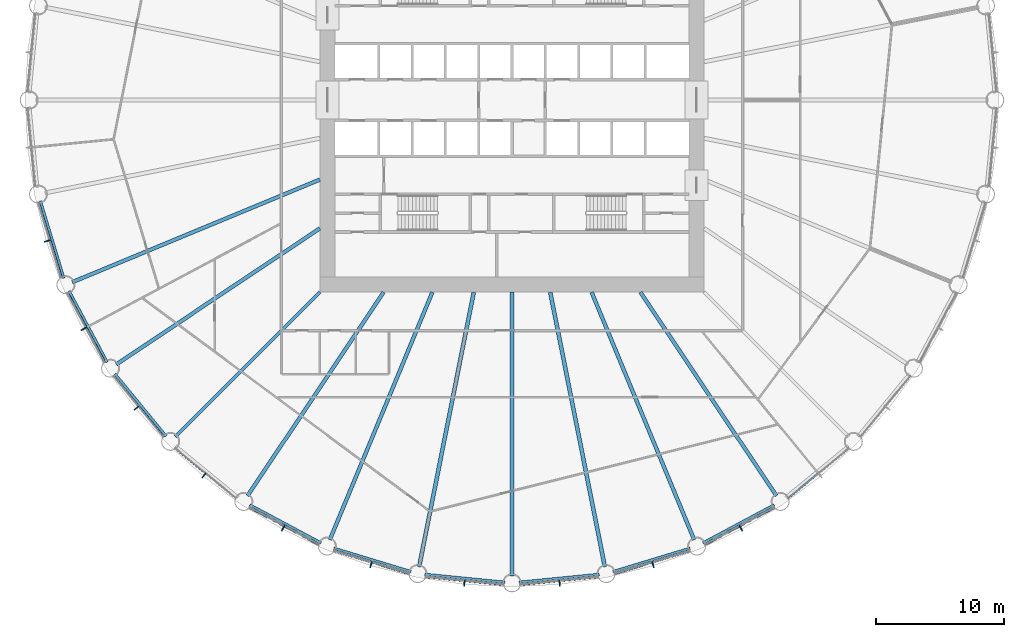
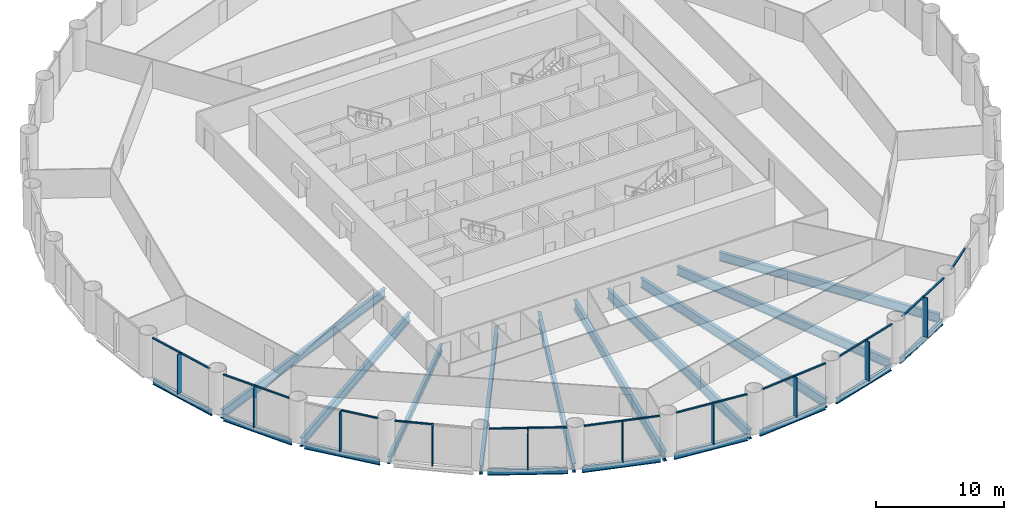
# One storey, part 2 of 15: 29 members, 19 beams, 11 elements without a shape of their own.
"""IFC4 building model written with IfcOpenShell, lengths in metres."""

from ifc_helpers import new_model, si_unit, direction, frame, origin, origin_2d, place, context, subcontext, project, spatial, rectangle, i_section, extrude, material, material_profile, profile_set, type_object, element, aggregate, save


model = new_model("IFC4")

# Units and contexts
model_context = context("Model", 3, precision=1e-05, world=origin(), true_north=direction((0.0, 1.0)))
body_context = subcontext(model_context, "Body", "Model", "MODEL_VIEW")
ifc_project = project(units=[si_unit("LENGTHUNIT", "METRE"), si_unit("AREAUNIT", "SQUARE_METRE"), si_unit("VOLUMEUNIT", "CUBIC_METRE"), si_unit("PLANEANGLEUNIT", "RADIAN"), si_unit("MASSUNIT", "GRAM", prefix="KILO")], contexts=[model_context])

# Site, building, storey
site_placement = place(None, origin())
site = spatial("IfcSite", under=ifc_project, at=site_placement, CompositionType="ELEMENT")
building_placement = place(site_placement, origin())
building = spatial("IfcBuilding", under=site, at=building_placement, Name="Corvane Civic Tower", CompositionType="ELEMENT")
storey_placement = place(building_placement, frame((0.0, 0.0, 41.0)))
storey = spatial("IfcBuildingStorey", under=building, at=storey_placement, Name="L08", CompositionType="ELEMENT", Elevation=41.0)

# Beams
ifc_material_1 = material(Name="Steel ASTM A992 Gr 50", Category="steel")
ifc_material_profile_1 = material_profile(ifc_material_1, i_section(OverallWidth=0.209228515625, OverallDepth=0.533447265625, WebThickness=0.01025390625, FlangeThickness=0.015625, at=origin_2d()), Name="W21X62")
ifc_profile_set_1 = profile_set([ifc_material_profile_1], Name="Steel ASTM A992 Gr 50")
beam_type_1 = type_object("IfcBeamType", Name="EDGE BEAM W21X62", PredefinedType="BEAM", material=ifc_profile_set_1)
for number, where, z_axis, x_axis, name in (
    (1, (20.4599609375, -31.605712890625, -0.566650390625), (-0.881916367906, -0.471405897311, 0.0), (0.471405897311, -0.881916367906, 0.0), "BM-L08-E14"),
    (2, (13.90087890625, -34.989990234375, -0.566650390625), (-0.956943740748, -0.290273452184, 0.0), (0.290273452184, -0.956943740748, 0.0), "BM-L08-E15"),
):
    element("IfcBeam", number, at=place(storey_placement, frame(where, z_axis=z_axis, x_axis=x_axis)), inside=storey, type_object=beam_type_1, Name=name, PredefinedType="BEAM", context=body_context, shape_type="SweptSolid", body=[
        extrude(i_section(OverallWidth=0.209228515625, OverallDepth=0.533447265625, WebThickness=0.01025390625, FlangeThickness=0.015625, at=origin_2d()), origin(), (0.0, 0.0, 1.0), 6.290283203125),
    ])
for number, where, z_axis, x_axis, name in (
    (3, (6.8076171875, -37.029541015625, -0.566650390625), (-0.995186682089, -0.097997284622, 0.0), (0.097997284622, -0.995186682089, 0.0), "BM-L08-E16"),
    (4, (-0.54736328125, -37.64599609375, -0.566650390625), (-0.995186682089, 0.097997284622, 0.0), (-0.097997284622, -0.995186682089, 0.0), "BM-L08-E17"),
):
    element("IfcBeam", number, at=place(storey_placement, frame(where, z_axis=z_axis, x_axis=x_axis)), inside=storey, type_object=beam_type_1, Name=name, PredefinedType="BEAM", context=body_context, shape_type="SweptSolid", body=[
        extrude(i_section(OverallWidth=0.209228515625, OverallDepth=0.533447265625, WebThickness=0.01025390625, FlangeThickness=0.015625, at=origin_2d()), origin(), (0.0, 0.0, 1.0), 6.29052734375),
    ])
for number, where, z_axis, x_axis, name in (
    (5, (-7.88134765625, -36.81591796875, -0.566650390625), (-0.956943740748, 0.290273452184, 0.0), (-0.290273452184, -0.956943740748, 0.0), "BM-L08-E18"),
    (6, (-14.912353515625, -34.571044921875, -0.566650390625), (-0.881916367906, 0.471405897311, 0.0), (-0.471405897311, -0.881916367906, 0.0), "BM-L08-E19"),
):
    element("IfcBeam", number, at=place(storey_placement, frame(where, z_axis=z_axis, x_axis=x_axis)), inside=storey, type_object=beam_type_1, Name=name, PredefinedType="BEAM", context=body_context, shape_type="SweptSolid", body=[
        extrude(i_section(OverallWidth=0.209228515625, OverallDepth=0.533447265625, WebThickness=0.01025390625, FlangeThickness=0.015625, at=origin_2d()), origin(), (0.0, 0.0, 1.0), 6.290283203125),
    ])
beam_1_placement = place(storey_placement, frame((-27.0068359375, -26.23291015625, -0.566650390625), z_axis=(-0.634386787141, 0.773015785286, 0.0), x_axis=(-0.773015785286, -0.634386787141, 0.0)))
element("IfcBeam", 7, at=beam_1_placement, inside=storey, type_object=beam_type_1, Name="BM-L08-E21", PredefinedType="BEAM", context=body_context, shape_type="SweptSolid", body=[
    extrude(i_section(OverallWidth=0.209228515625, OverallDepth=0.533447265625, WebThickness=0.01025390625, FlangeThickness=0.015625, at=origin_2d()), origin(), (0.0, 0.0, 1.0), 6.290771484375),
])
for number, where, z_axis, x_axis, name in (
    (8, (-31.605712890625, -20.4599609375, -0.566650390625), (-0.471405897311, 0.881916367906, 0.0), (-0.881916367906, -0.471405897311, 0.0), "BM-L08-E22"),
    (9, (-34.989990234375, -13.90087890625, -0.566650390625), (-0.290273452184, 0.956943740748, 0.0), (-0.956943740748, -0.290273452184, 0.0), "BM-L08-E23"),
):
    element("IfcBeam", number, at=place(storey_placement, frame(where, z_axis=z_axis, x_axis=x_axis)), inside=storey, type_object=beam_type_1, Name=name, PredefinedType="BEAM", context=body_context, shape_type="SweptSolid", body=[
        extrude(i_section(OverallWidth=0.209228515625, OverallDepth=0.533447265625, WebThickness=0.01025390625, FlangeThickness=0.015625, at=origin_2d()), origin(), (0.0, 0.0, 1.0), 6.290283203125),
    ])
ifc_material_2 = material(Name="Steel ASTM A992 Gr 50", Category="steel")
ifc_material_profile_2 = material_profile(ifc_material_2, i_section(OverallWidth=0.256591796875, OverallDepth=0.693359375, WebThickness=0.014404296875, FlangeThickness=0.023681640625, at=origin_2d()), Name="W27X114")
ifc_profile_set_2 = profile_set([ifc_material_profile_2], Name="Steel ASTM A992 Gr 50")
beam_type_2 = type_object("IfcBeamType", Name="FLOOR GIRDER W27X114", PredefinedType="BEAM", material=ifc_profile_set_2)
beam_2_placement = place(storey_placement, frame((-15.0, -15.0, -0.646728515625), z_axis=(-0.707106781187, -0.707106781187, 0.0), x_axis=(0.707106781187, -0.707106781187, 0.0)))
element("IfcBeam", 10, at=beam_2_placement, inside=storey, type_object=beam_type_2, Name="BM-L08-G21", PredefinedType="BEAM", context=body_context, shape_type="SweptSolid", body=[
    extrude(i_section(OverallWidth=0.256591796875, OverallDepth=0.693359375, WebThickness=0.014404296875, FlangeThickness=0.023681640625, at=origin_2d()), origin(), (0.0, 0.0, 1.0), 15.936767578125),
])
ifc_material_3 = material(Name="Steel ASTM A992 Gr 50", Category="steel")
ifc_material_profile_3 = material_profile(ifc_material_3, i_section(OverallWidth=0.2919921875, OverallDepth=0.8583984375, WebThickness=0.01708984375, FlangeThickness=0.031005859375, at=origin_2d()), Name="W33X169")
ifc_profile_set_3 = profile_set([ifc_material_profile_3], Name="Steel ASTM A992 Gr 50")
beam_type_3 = type_object("IfcBeamType", Name="FLOOR GIRDER W33X169", PredefinedType="BEAM", material=ifc_profile_set_3)
beam_3_placement = place(storey_placement, frame((10.022705078125, -15.0, -0.729248046875), z_axis=(0.555566681385, -0.831471985418, 0.0), x_axis=(0.831471985418, 0.555566681385, 0.0)))
element("IfcBeam", 11, at=beam_3_placement, inside=storey, type_object=beam_type_3, Name="BM-L08-G14", PredefinedType="BEAM", context=body_context, shape_type="SweptSolid", body=[
    extrude(i_section(OverallWidth=0.2919921875, OverallDepth=0.8583984375, WebThickness=0.01708984375, FlangeThickness=0.031005859375, at=origin_2d()), origin(), (0.0, 0.0, 1.0), 19.109619140625),
])
for number, where, z_axis, x_axis, name in (
    (12, (6.213134765625, -15.0, -0.729248046875), (0.382692360381, -0.923875834355, 0.0), (0.923875834355, 0.382692360381, 0.0), "BM-L08-G15"),
    (13, (-6.213134765625, -15.0, -0.729248046875), (-0.382692360381, -0.923875834355, 0.0), (0.923875834355, -0.382692360381, 0.0), "BM-L08-G19"),
):
    element("IfcBeam", number, at=place(storey_placement, frame(where, z_axis=z_axis, x_axis=x_axis)), inside=storey, type_object=beam_type_3, Name=name, PredefinedType="BEAM", context=body_context, shape_type="SweptSolid", body=[
        extrude(i_section(OverallWidth=0.2919921875, OverallDepth=0.8583984375, WebThickness=0.01708984375, FlangeThickness=0.031005859375, at=origin_2d()), origin(), (0.0, 0.0, 1.0), 20.9140625),
    ])
for number, where, z_axis, x_axis, name in (
    (14, (-10.022705078125, -15.0, -0.729248046875), (-0.555566681385, -0.831471985418, 0.0), (0.831471985418, -0.555566681385, 0.0), "BM-L08-G20"),
    (15, (-15.0, -10.022705078125, -0.729248046875), (-0.831471985418, -0.555566681385, 0.0), (0.555566681385, -0.831471985418, 0.0), "BM-L08-G22"),
):
    element("IfcBeam", number, at=place(storey_placement, frame(where, z_axis=z_axis, x_axis=x_axis)), inside=storey, type_object=beam_type_3, Name=name, PredefinedType="BEAM", context=body_context, shape_type="SweptSolid", body=[
        extrude(i_section(OverallWidth=0.2919921875, OverallDepth=0.8583984375, WebThickness=0.01708984375, FlangeThickness=0.031005859375, at=origin_2d()), origin(), (0.0, 0.0, 1.0), 19.109619140625),
    ])
beam_4_placement = place(storey_placement, frame((-15.0, -6.213134765625, -0.729248046875), z_axis=(-0.923875834355, -0.382692360381, 0.0), x_axis=(0.382692360381, -0.923875834355, 0.0)))
element("IfcBeam", 16, at=beam_4_placement, inside=storey, type_object=beam_type_3, Name="BM-L08-G23", PredefinedType="BEAM", context=body_context, shape_type="SweptSolid", body=[
    extrude(i_section(OverallWidth=0.2919921875, OverallDepth=0.8583984375, WebThickness=0.01708984375, FlangeThickness=0.031005859375, at=origin_2d()), origin(), (0.0, 0.0, 1.0), 20.9140625),
])
ifc_material_4 = material(Name="Steel ASTM A992 Gr 50", Category="steel")
ifc_material_profile_4 = material_profile(ifc_material_4, i_section(OverallWidth=0.307373046875, OverallDepth=0.927001953125, WebThickness=0.01953125, FlangeThickness=0.031982421875, at=origin_2d()), Name="W36X194")
ifc_profile_set_4 = profile_set([ifc_material_profile_4], Name="Steel ASTM A992 Gr 50")
beam_type_4 = type_object("IfcBeamType", Name="FLOOR GIRDER W36X194", PredefinedType="BEAM", material=ifc_profile_set_4)
beam_5_placement = place(storey_placement, frame((2.983642578125, -15.0, -0.763671875), z_axis=(0.195089219638, -0.980785499679, 0.0), x_axis=(0.980785499679, 0.195089219638, 0.0)))
element("IfcBeam", 17, at=beam_5_placement, inside=storey, type_object=beam_type_4, Name="BM-L08-G16", PredefinedType="BEAM", context=body_context, shape_type="SweptSolid", body=[
    extrude(i_section(OverallWidth=0.307373046875, OverallDepth=0.927001953125, WebThickness=0.01953125, FlangeThickness=0.031982421875, at=origin_2d()), origin(), (0.0, 0.0, 1.0), 21.856201171875),
])
beam_6_placement = place(storey_placement, frame((0.0, -15.0, -0.763671875), z_axis=(0.0, -1.0, 0.0), x_axis=(1.0, 0.0, 0.0)))
element("IfcBeam", 18, at=beam_6_placement, inside=storey, type_object=beam_type_4, Name="BM-L08-G17", PredefinedType="BEAM", context=body_context, shape_type="SweptSolid", body=[
    extrude(i_section(OverallWidth=0.307373046875, OverallDepth=0.927001953125, WebThickness=0.01953125, FlangeThickness=0.031982421875, at=origin_2d()), origin(), (0.0, 0.0, 1.0), 22.14990234375),
])
beam_7_placement = place(storey_placement, frame((-2.983642578125, -15.0, -0.763671875), z_axis=(-0.195089219638, -0.980785499679, 0.0), x_axis=(0.980785499679, -0.195089219638, 0.0)))
element("IfcBeam", 19, at=beam_7_placement, inside=storey, type_object=beam_type_4, Name="BM-L08-G18", PredefinedType="BEAM", context=body_context, shape_type="SweptSolid", body=[
    extrude(i_section(OverallWidth=0.307373046875, OverallDepth=0.927001953125, WebThickness=0.01953125, FlangeThickness=0.031982421875, at=origin_2d()), origin(), (0.0, 0.0, 1.0), 21.856201171875),
])

# Curtain wall, member
ifc_material_5 = material(Name="Anodised aluminium bronze", Category="aluminium")
curtain_wall_type = type_object("IfcCurtainWallType", Name="TOWER CW-T1 STICK CURTAIN WALL", PredefinedType="NOTDEFINED", material=ifc_material_5)
curtain_wall_1_placement = place(storey_placement, origin())
curtain_wall_1 = element("IfcCurtainWall", 20, at=curtain_wall_1_placement, inside=storey, type_object=curtain_wall_type, Name="Curtain wall CW-T1 L08 bay 13", PredefinedType="NOTDEFINED")
ifc_material_6 = material(Name="Anodised aluminium bronze", Category="aluminium")
ifc_material_profile_5 = material_profile(ifc_material_6, rectangle(XDim=0.139892578125, YDim=0.1201171875, at=origin_2d()), Name="TOWER CW-T1 TRANSOM 140x120")
ifc_profile_set_5 = profile_set([ifc_material_profile_5], Name="Anodised aluminium bronze")
member_type_1 = type_object("IfcMemberType", Name="TOWER CW-T1 TRANSOM 140x120", PredefinedType="USERDEFINED", material=ifc_profile_set_5)
member_1_placement = place(storey_placement, frame((23.88427734375, -29.166015625, 3.68994140625), z_axis=(-0.773041738279, -0.634355161466, 0.0), x_axis=(0.634355161466, -0.773041738279, 0.0)))
member_1 = element("IfcMember", 21, at=member_1_placement, type_object=member_type_1, Name="Transom CW-T1 L08 13.2", ObjectType="TRANSOM", PredefinedType="USERDEFINED", context=body_context, shape_type="SweptSolid", body=[
    extrude(rectangle(XDim=0.139892578125, YDim=0.1201171875, at=origin_2d()), origin(), (0.0, 0.0, 1.0), 3.008544921875),
])
aggregate(curtain_wall_1, [member_1])

# Curtain wall, members
curtain_wall_2_placement = place(storey_placement, origin())
curtain_wall_2 = element("IfcCurtainWall", 22, at=curtain_wall_2_placement, inside=storey, type_object=curtain_wall_type, Name="Curtain wall CW-T1 L08 bay 14", PredefinedType="NOTDEFINED")
member_2_placement = place(storey_placement, frame((20.459228515625, -31.809326171875, 3.68994140625), z_axis=(-0.881923525532, -0.471392506424, 0.0), x_axis=(0.471392506424, -0.881923525532, 0.0)))
member_2 = element("IfcMember", 23, at=member_2_placement, type_object=member_type_1, Name="Transom CW-T1 L08 14.1", ObjectType="TRANSOM", PredefinedType="USERDEFINED", context=body_context, shape_type="SweptSolid", body=[
    extrude(rectangle(XDim=0.139892578125, YDim=0.1201171875, at=origin_2d()), origin(), (0.0, 0.0, 1.0), 3.008544921875),
])
member_3_placement = place(storey_placement, frame((17.7353515625, -33.26513671875, 3.68994140625), z_axis=(-0.881923525532, -0.471392506424, 0.0), x_axis=(0.471392506424, -0.881923525532, 0.0)))
member_3 = element("IfcMember", 24, at=member_3_placement, type_object=member_type_1, Name="Transom CW-T1 L08 14.2", ObjectType="TRANSOM", PredefinedType="USERDEFINED", context=body_context, shape_type="SweptSolid", body=[
    extrude(rectangle(XDim=0.139892578125, YDim=0.1201171875, at=origin_2d()), origin(), (0.0, 0.0, 1.0), 3.008544921875),
])

curtain_wall_3_placement = place(storey_placement, origin())
curtain_wall_3 = element("IfcCurtainWall", 25, at=curtain_wall_3_placement, inside=storey, type_object=curtain_wall_type, Name="Curtain wall CW-T1 L08 bay 15", PredefinedType="NOTDEFINED")
member_4_placement = place(storey_placement, frame((13.8603515625, -35.189453125, 3.68994140625), z_axis=(-0.956941780555, -0.290279914268, 0.0), x_axis=(0.290279914268, -0.956941780555, 0.0)))
member_4 = element("IfcMember", 26, at=member_4_placement, type_object=member_type_1, Name="Transom CW-T1 L08 15.1", ObjectType="TRANSOM", PredefinedType="USERDEFINED", context=body_context, shape_type="SweptSolid", body=[
    extrude(rectangle(XDim=0.139892578125, YDim=0.1201171875, at=origin_2d()), origin(), (0.0, 0.0, 1.0), 3.008544921875),
])
member_5_placement = place(storey_placement, frame((10.90478515625, -36.0859375, 3.68994140625), z_axis=(-0.956941780555, -0.290279914268, 0.0), x_axis=(0.290279914268, -0.956941780555, 0.0)))
member_5 = element("IfcMember", 27, at=member_5_placement, type_object=member_type_1, Name="Transom CW-T1 L08 15.2", ObjectType="TRANSOM", PredefinedType="USERDEFINED", context=body_context, shape_type="SweptSolid", body=[
    extrude(rectangle(XDim=0.139892578125, YDim=0.1201171875, at=origin_2d()), origin(), (0.0, 0.0, 1.0), 3.008544921875),
])

curtain_wall_4_placement = place(storey_placement, origin())
curtain_wall_4 = element("IfcCurtainWall", 28, at=curtain_wall_4_placement, inside=storey, type_object=curtain_wall_type, Name="Curtain wall CW-T1 L08 bay 16", PredefinedType="NOTDEFINED")
member_6_placement = place(storey_placement, frame((6.72900390625, -37.21728515625, 3.68994140625), z_axis=(-0.995191836722, -0.097944923917, 0.0), x_axis=(0.097944923917, -0.995191836722, 0.0)))
member_6 = element("IfcMember", 29, at=member_6_placement, type_object=member_type_1, Name="Transom CW-T1 L08 16.1", ObjectType="TRANSOM", PredefinedType="USERDEFINED", context=body_context, shape_type="SweptSolid", body=[
    extrude(rectangle(XDim=0.139892578125, YDim=0.1201171875, at=origin_2d()), origin(), (0.0, 0.0, 1.0), 3.008544921875),
])
member_7_placement = place(storey_placement, frame((3.6552734375, -37.52001953125, 3.68994140625), z_axis=(-0.995191836722, -0.097944923917, 0.0), x_axis=(0.097944923917, -0.995191836722, 0.0)))
member_7 = element("IfcMember", 30, at=member_7_placement, type_object=member_type_1, Name="Transom CW-T1 L08 16.2", ObjectType="TRANSOM", PredefinedType="USERDEFINED", context=body_context, shape_type="SweptSolid", body=[
    extrude(rectangle(XDim=0.139892578125, YDim=0.1201171875, at=origin_2d()), origin(), (0.0, 0.0, 1.0), 3.008544921875),
])

curtain_wall_5_placement = place(storey_placement, origin())
curtain_wall_5 = element("IfcCurtainWall", 31, at=curtain_wall_5_placement, inside=storey, type_object=curtain_wall_type, Name="Curtain wall CW-T1 L08 bay 17", PredefinedType="NOTDEFINED")
member_8_placement = place(storey_placement, frame((-0.6611328125, -37.814697265625, 3.68994140625), z_axis=(-0.995191836722, 0.097944923917, 0.0), x_axis=(-0.097944923917, -0.995191836722, 0.0)))
member_8 = element("IfcMember", 32, at=member_8_placement, type_object=member_type_1, Name="Transom CW-T1 L08 17.1", ObjectType="TRANSOM", PredefinedType="USERDEFINED", context=body_context, shape_type="SweptSolid", body=[
    extrude(rectangle(XDim=0.139892578125, YDim=0.1201171875, at=origin_2d()), origin(), (0.0, 0.0, 1.0), 3.008544921875),
])
member_9_placement = place(storey_placement, frame((-3.73486328125, -37.511962890625, 3.68994140625), z_axis=(-0.995191836722, 0.097944923917, 0.0), x_axis=(-0.097944923917, -0.995191836722, 0.0)))
member_9 = element("IfcMember", 33, at=member_9_placement, type_object=member_type_1, Name="Transom CW-T1 L08 17.2", ObjectType="TRANSOM", PredefinedType="USERDEFINED", context=body_context, shape_type="SweptSolid", body=[
    extrude(rectangle(XDim=0.139892578125, YDim=0.1201171875, at=origin_2d()), origin(), (0.0, 0.0, 1.0), 3.008544921875),
])

curtain_wall_6_placement = place(storey_placement, origin())
curtain_wall_6 = element("IfcCurtainWall", 34, at=curtain_wall_6_placement, inside=storey, type_object=curtain_wall_type, Name="Curtain wall CW-T1 L08 bay 18", PredefinedType="NOTDEFINED")
member_10_placement = place(storey_placement, frame((-8.02587890625, -36.959228515625, 3.68994140625), z_axis=(-0.956941780555, 0.290279914268, 0.0), x_axis=(-0.290279914268, -0.956941780555, 0.0)))
member_10 = element("IfcMember", 35, at=member_10_placement, type_object=member_type_1, Name="Transom CW-T1 L08 18.1", ObjectType="TRANSOM", PredefinedType="USERDEFINED", context=body_context, shape_type="SweptSolid", body=[
    extrude(rectangle(XDim=0.139892578125, YDim=0.1201171875, at=origin_2d()), origin(), (0.0, 0.0, 1.0), 3.008544921875),
])
member_11_placement = place(storey_placement, frame((-10.9814453125, -36.062744140625, 3.68994140625), z_axis=(-0.956941780555, 0.290279914268, 0.0), x_axis=(-0.290279914268, -0.956941780555, 0.0)))
member_11 = element("IfcMember", 36, at=member_11_placement, type_object=member_type_1, Name="Transom CW-T1 L08 18.2", ObjectType="TRANSOM", PredefinedType="USERDEFINED", context=body_context, shape_type="SweptSolid", body=[
    extrude(rectangle(XDim=0.139892578125, YDim=0.1201171875, at=origin_2d()), origin(), (0.0, 0.0, 1.0), 3.008544921875),
])

curtain_wall_7_placement = place(storey_placement, origin())
curtain_wall_7 = element("IfcCurtainWall", 37, at=curtain_wall_7_placement, inside=storey, type_object=curtain_wall_type, Name="Curtain wall CW-T1 L08 bay 19", PredefinedType="NOTDEFINED")
member_12_placement = place(storey_placement, frame((-15.08203125, -34.683349609375, 3.68994140625), z_axis=(-0.881923525532, 0.471392506424, 0.0), x_axis=(-0.471392506424, -0.881923525532, 0.0)))
member_12 = element("IfcMember", 38, at=member_12_placement, type_object=member_type_1, Name="Transom CW-T1 L08 19.1", ObjectType="TRANSOM", PredefinedType="USERDEFINED", context=body_context, shape_type="SweptSolid", body=[
    extrude(rectangle(XDim=0.139892578125, YDim=0.1201171875, at=origin_2d()), origin(), (0.0, 0.0, 1.0), 3.008544921875),
])
member_13_placement = place(storey_placement, frame((-17.805908203125, -33.2275390625, 3.68994140625), z_axis=(-0.881923525532, 0.471392506424, 0.0), x_axis=(-0.471392506424, -0.881923525532, 0.0)))
member_13 = element("IfcMember", 39, at=member_13_placement, type_object=member_type_1, Name="Transom CW-T1 L08 19.2", ObjectType="TRANSOM", PredefinedType="USERDEFINED", context=body_context, shape_type="SweptSolid", body=[
    extrude(rectangle(XDim=0.139892578125, YDim=0.1201171875, at=origin_2d()), origin(), (0.0, 0.0, 1.0), 3.008544921875),
])

# Curtain wall, member
curtain_wall_8_placement = place(storey_placement, origin())
curtain_wall_8 = element("IfcCurtainWall", 40, at=curtain_wall_8_placement, inside=storey, type_object=curtain_wall_type, Name="Curtain wall CW-T1 L08 bay 20", PredefinedType="NOTDEFINED")
member_14_placement = place(storey_placement, frame((-23.946044921875, -29.115234375, 3.68994140625), z_axis=(-0.773001943873, 0.634403652865, 0.0), x_axis=(-0.634403652865, -0.773001943873, 0.0)))
member_14 = element("IfcMember", 41, at=member_14_placement, type_object=member_type_1, Name="Transom CW-T1 L08 20.2", ObjectType="TRANSOM", PredefinedType="USERDEFINED", context=body_context, shape_type="SweptSolid", body=[
    extrude(rectangle(XDim=0.139892578125, YDim=0.1201171875, at=origin_2d()), origin(), (0.0, 0.0, 1.0), 3.008544921875),
])

curtain_wall_9_placement = place(storey_placement, origin())
curtain_wall_9 = element("IfcCurtainWall", 42, at=curtain_wall_9_placement, inside=storey, type_object=curtain_wall_type, Name="Curtain wall CW-T1 L08 bay 21", PredefinedType="NOTDEFINED")
member_15_placement = place(storey_placement, frame((-27.20654296875, -26.271728515625, 3.68994140625), z_axis=(-0.634403652865, 0.773001943873, 0.0), x_axis=(-0.773001943873, -0.634403652865, 0.0)))
member_15 = element("IfcMember", 43, at=member_15_placement, type_object=member_type_1, Name="Transom CW-T1 L08 21.1", ObjectType="TRANSOM", PredefinedType="USERDEFINED", context=body_context, shape_type="SweptSolid", body=[
    extrude(rectangle(XDim=0.139892578125, YDim=0.1201171875, at=origin_2d()), origin(), (0.0, 0.0, 1.0), 3.008544921875),
])

# Curtain wall, members
curtain_wall_10_placement = place(storey_placement, origin())
curtain_wall_10 = element("IfcCurtainWall", 44, at=curtain_wall_10_placement, inside=storey, type_object=curtain_wall_type, Name="Curtain wall CW-T1 L08 bay 22", PredefinedType="NOTDEFINED")
member_16_placement = place(storey_placement, frame((-31.809326171875, -20.459228515625, 3.68994140625), z_axis=(-0.471392506424, 0.881923525532, 0.0), x_axis=(-0.881923525532, -0.471392506424, 0.0)))
member_16 = element("IfcMember", 45, at=member_16_placement, type_object=member_type_1, Name="Transom CW-T1 L08 22.1", ObjectType="TRANSOM", PredefinedType="USERDEFINED", context=body_context, shape_type="SweptSolid", body=[
    extrude(rectangle(XDim=0.139892578125, YDim=0.1201171875, at=origin_2d()), origin(), (0.0, 0.0, 1.0), 3.008544921875),
])
member_17_placement = place(storey_placement, frame((-33.26513671875, -17.7353515625, 3.68994140625), z_axis=(-0.471392506424, 0.881923525532, 0.0), x_axis=(-0.881923525532, -0.471392506424, 0.0)))
member_17 = element("IfcMember", 46, at=member_17_placement, type_object=member_type_1, Name="Transom CW-T1 L08 22.2", ObjectType="TRANSOM", PredefinedType="USERDEFINED", context=body_context, shape_type="SweptSolid", body=[
    extrude(rectangle(XDim=0.139892578125, YDim=0.1201171875, at=origin_2d()), origin(), (0.0, 0.0, 1.0), 3.008544921875),
])

curtain_wall_11_placement = place(storey_placement, origin())
curtain_wall_11 = element("IfcCurtainWall", 47, at=curtain_wall_11_placement, inside=storey, type_object=curtain_wall_type, Name="Curtain wall CW-T1 L08 bay 23", PredefinedType="NOTDEFINED")
member_18_placement = place(storey_placement, frame((-35.189453125, -13.8603515625, 3.68994140625), z_axis=(-0.290279914268, 0.956941780555, 0.0), x_axis=(-0.956941780555, -0.290279914268, 0.0)))
member_18 = element("IfcMember", 48, at=member_18_placement, type_object=member_type_1, Name="Transom CW-T1 L08 23.1", ObjectType="TRANSOM", PredefinedType="USERDEFINED", context=body_context, shape_type="SweptSolid", body=[
    extrude(rectangle(XDim=0.139892578125, YDim=0.1201171875, at=origin_2d()), origin(), (0.0, 0.0, 1.0), 3.008544921875),
])
member_19_placement = place(storey_placement, frame((-36.0859375, -10.90478515625, 3.68994140625), z_axis=(-0.290279914268, 0.956941780555, 0.0), x_axis=(-0.956941780555, -0.290279914268, 0.0)))
member_19 = element("IfcMember", 49, at=member_19_placement, type_object=member_type_1, Name="Transom CW-T1 L08 23.2", ObjectType="TRANSOM", PredefinedType="USERDEFINED", context=body_context, shape_type="SweptSolid", body=[
    extrude(rectangle(XDim=0.139892578125, YDim=0.1201171875, at=origin_2d()), origin(), (0.0, 0.0, 1.0), 3.008544921875),
])

# Member
ifc_material_7 = material(Name="Anodised aluminium bronze", Category="aluminium")
ifc_material_profile_6 = material_profile(ifc_material_7, rectangle(XDim=0.080078125, YDim=0.5, at=origin_2d()), Name="TOWER FIN MULLION 80x500 BRONZE")
ifc_profile_set_6 = profile_set([ifc_material_profile_6], Name="Anodised aluminium bronze")
member_type_2 = type_object("IfcMemberType", Name="TOWER FIN MULLION 80x500 BRONZE", PredefinedType="MULLION", material=ifc_profile_set_6)
member_20_placement = place(storey_placement, frame((17.86474609375, -33.422607421875, 0.0), z_axis=(0.0, 0.0, 1.0), x_axis=(-0.881917528864, -0.471403725359, 0.0)))
member_20 = element("IfcMember", 50, at=member_20_placement, type_object=member_type_2, Name="Fin mullion 14 L08", PredefinedType="MULLION", context=body_context, shape_type="SweptSolid", body=[
    extrude(rectangle(XDim=0.080078125, YDim=0.5, at=origin_2d()), origin(), (0.0, 0.0, 1.0), 3.75),
])

aggregate(curtain_wall_2, [member_20, member_2, member_3])

member_21_placement = place(storey_placement, frame((11.001220703125, -36.265625, 0.0), z_axis=(0.0, 0.0, 1.0), x_axis=(-0.956942240606, -0.290278397654, 0.0)))
member_21 = element("IfcMember", 51, at=member_21_placement, type_object=member_type_2, Name="Fin mullion 15 L08", PredefinedType="MULLION", context=body_context, shape_type="SweptSolid", body=[
    extrude(rectangle(XDim=0.080078125, YDim=0.5, at=origin_2d()), origin(), (0.0, 0.0, 1.0), 3.75),
])

aggregate(curtain_wall_3, [member_21, member_4, member_5])

member_22_placement = place(storey_placement, frame((3.714599609375, -37.715087890625, 0.0), z_axis=(0.0, 0.0, 1.0), x_axis=(-0.995185800248, -0.098006239521, 0.0)))
member_22 = element("IfcMember", 52, at=member_22_placement, type_object=member_type_2, Name="Fin mullion 16 L08", PredefinedType="MULLION", context=body_context, shape_type="SweptSolid", body=[
    extrude(rectangle(XDim=0.080078125, YDim=0.5, at=origin_2d()), origin(), (0.0, 0.0, 1.0), 3.75),
])

aggregate(curtain_wall_4, [member_22, member_6, member_7])

member_23_placement = place(storey_placement, frame((-3.714599609375, -37.715087890625, 0.0), z_axis=(0.0, 0.0, 1.0), x_axis=(-0.995185800248, 0.098006239521, 0.0)))
member_23 = element("IfcMember", 53, at=member_23_placement, type_object=member_type_2, Name="Fin mullion 17 L08", PredefinedType="MULLION", context=body_context, shape_type="SweptSolid", body=[
    extrude(rectangle(XDim=0.080078125, YDim=0.5, at=origin_2d()), origin(), (0.0, 0.0, 1.0), 3.75),
])

aggregate(curtain_wall_5, [member_23, member_8, member_9])

member_24_placement = place(storey_placement, frame((-11.001220703125, -36.265625, 0.0), z_axis=(0.0, 0.0, 1.0), x_axis=(-0.956942240606, 0.290278397654, 0.0)))
member_24 = element("IfcMember", 54, at=member_24_placement, type_object=member_type_2, Name="Fin mullion 18 L08", PredefinedType="MULLION", context=body_context, shape_type="SweptSolid", body=[
    extrude(rectangle(XDim=0.080078125, YDim=0.5, at=origin_2d()), origin(), (0.0, 0.0, 1.0), 3.75),
])

aggregate(curtain_wall_6, [member_24, member_10, member_11])

member_25_placement = place(storey_placement, frame((-17.86474609375, -33.422607421875, 0.0), z_axis=(0.0, 0.0, 1.0), x_axis=(-0.881917528864, 0.471403725359, 0.0)))
member_25 = element("IfcMember", 55, at=member_25_placement, type_object=member_type_2, Name="Fin mullion 19 L08", PredefinedType="MULLION", context=body_context, shape_type="SweptSolid", body=[
    extrude(rectangle(XDim=0.080078125, YDim=0.5, at=origin_2d()), origin(), (0.0, 0.0, 1.0), 3.75),
])

aggregate(curtain_wall_7, [member_25, member_12, member_13])

member_26_placement = place(storey_placement, frame((-24.0419921875, -29.295166015625, 0.0), z_axis=(0.0, 0.0, 1.0), x_axis=(-0.773007224463, 0.634397218569, 0.0)))
member_26 = element("IfcMember", 56, at=member_26_placement, type_object=member_type_2, Name="Fin mullion 20 L08", PredefinedType="MULLION", context=body_context, shape_type="SweptSolid", body=[
    extrude(rectangle(XDim=0.080078125, YDim=0.5, at=origin_2d()), origin(), (0.0, 0.0, 1.0), 3.75),
])

aggregate(curtain_wall_8, [member_26, member_14])

member_27_placement = place(storey_placement, frame((-29.295166015625, -24.0419921875, 0.0), z_axis=(0.0, 0.0, 1.0), x_axis=(-0.634397218569, 0.773007224463, 0.0)))
member_27 = element("IfcMember", 57, at=member_27_placement, type_object=member_type_2, Name="Fin mullion 21 L08", PredefinedType="MULLION", context=body_context, shape_type="SweptSolid", body=[
    extrude(rectangle(XDim=0.080078125, YDim=0.5, at=origin_2d()), origin(), (0.0, 0.0, 1.0), 3.75),
])

aggregate(curtain_wall_9, [member_27, member_15])

member_28_placement = place(storey_placement, frame((-33.422607421875, -17.86474609375, 0.0), z_axis=(0.0, 0.0, 1.0), x_axis=(-0.471403725359, 0.881917528864, 0.0)))
member_28 = element("IfcMember", 58, at=member_28_placement, type_object=member_type_2, Name="Fin mullion 22 L08", PredefinedType="MULLION", context=body_context, shape_type="SweptSolid", body=[
    extrude(rectangle(XDim=0.080078125, YDim=0.5, at=origin_2d()), origin(), (0.0, 0.0, 1.0), 3.75),
])

aggregate(curtain_wall_10, [member_28, member_16, member_17])

member_29_placement = place(storey_placement, frame((-36.265625, -11.001220703125, 0.0), z_axis=(0.0, 0.0, 1.0), x_axis=(-0.290278397654, 0.956942240606, 0.0)))
member_29 = element("IfcMember", 59, at=member_29_placement, type_object=member_type_2, Name="Fin mullion 23 L08", PredefinedType="MULLION", context=body_context, shape_type="SweptSolid", body=[
    extrude(rectangle(XDim=0.080078125, YDim=0.5, at=origin_2d()), origin(), (0.0, 0.0, 1.0), 3.75),
])

aggregate(curtain_wall_11, [member_29, member_18, member_19])

save(model, "model.ifc")
